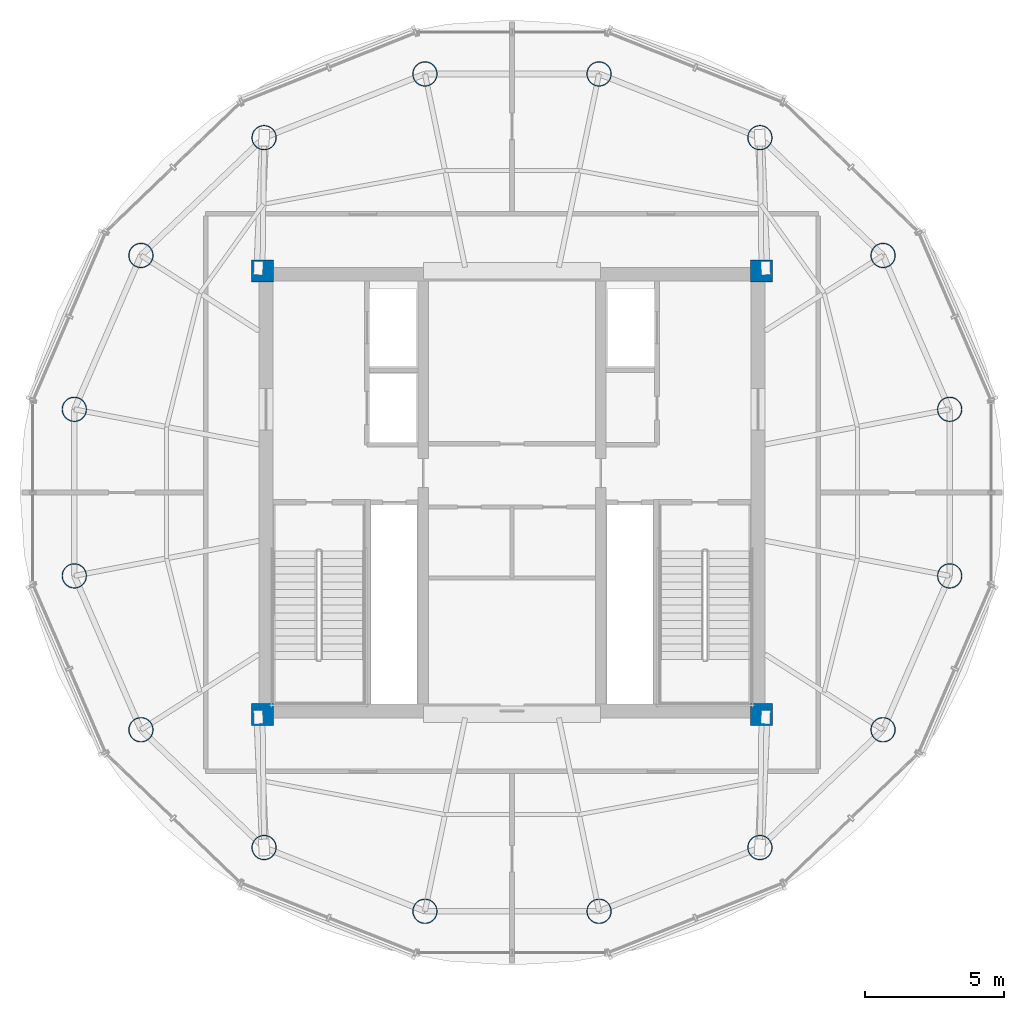
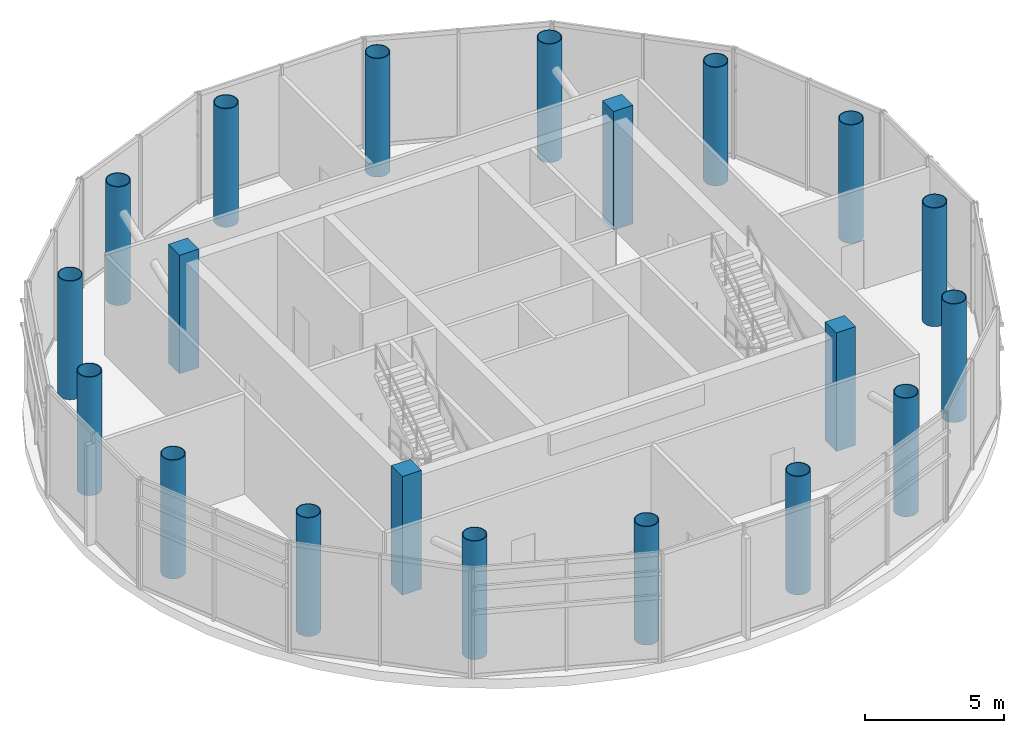
# One storey, part 1 of 15: 20 columns.
"""IFC4 building model written with IfcOpenShell, lengths in metres."""

from ifc_helpers import new_model, si_unit, direction, frame, origin, origin_2d, place, context, subcontext, project, spatial, rectangle, hollow_circle, extrude, material, material_profile, profile_set, type_object, element, save


model = new_model("IFC4")

# Units and contexts
model_context = context("Model", 3, precision=1e-05, world=origin(), true_north=direction((-0.2419218956, 0.970295726276)))
body_context = subcontext(model_context, "Body", "Model", "MODEL_VIEW")
ifc_project = project(units=[si_unit("LENGTHUNIT", "METRE"), si_unit("AREAUNIT", "SQUARE_METRE"), si_unit("VOLUMEUNIT", "CUBIC_METRE"), si_unit("PLANEANGLEUNIT", "RADIAN"), si_unit("MASSUNIT", "GRAM", prefix="KILO")], contexts=[model_context])

# Site, building, storey
site_placement = place(None, origin())
site = spatial("IfcSite", under=ifc_project, at=site_placement, CompositionType="ELEMENT")
building_placement = place(site_placement, origin())
building = spatial("IfcBuilding", under=site, at=building_placement, Name="Cobrevalo Terracotta Tower", CompositionType="ELEMENT")
storey_placement = place(building_placement, frame((0.0, 0.0, 311.300048828125)))
storey = spatial("IfcBuildingStorey", under=building, at=storey_placement, Name="L81", CompositionType="ELEMENT", Elevation=311.300048828125)

# Columns
ifc_material_1 = material(Name="Steel S355", Category="steel")
ifc_material_profile_1 = material_profile(ifc_material_1, hollow_circle(Radius=0.449951171875, WallThickness=0.031982421875, at=origin_2d()), Name="CHS 900x32")
ifc_profile_set_1 = profile_set([ifc_material_profile_1], Name="Steel S355")
column_type_1 = type_object("IfcColumnType", Name="Structural Column CHS 900x32 (Steel S355)", PredefinedType="COLUMN", material=ifc_profile_set_1)
for number, where, z_axis, x_axis, name in (
    (1, (53.79052734375, 29.804443359375, 0.0), (0.0, 0.0, 1.0), (1.0, 0.0, 0.0), "L81 composite megacolumn MC01"),
    (2, (51.38671875, 35.355712890625, 0.0), (0.0, 0.0, 1.0), (1.0, 0.0, 0.0), "L81 composite megacolumn MC02"),
    (3, (46.944580078125, 39.604736328125, 0.0), (0.0, 0.0, 1.0), (1.0, 0.0, 0.0), "L81 composite megacolumn MC03"),
    (4, (41.140869140625, 41.904052734375, 0.0), (0.0, 0.0, 1.0), (1.0, 0.0, 0.0), "L81 composite megacolumn MC04"),
    (5, (34.859130859375, 41.904052734375, 0.0), (0.0, 0.0, 1.0), (1.0, 0.0, 0.0), "L81 composite megacolumn MC05"),
    (6, (29.055419921875, 39.604736328125, 0.0), (0.0, 0.0, 1.0), (1.0, 0.0, 0.0), "L81 composite megacolumn MC06"),
    (7, (24.61328125, 35.355712890625, 0.0), (0.0, 0.0, 1.0), (1.0, 0.0, 0.0), "L81 composite megacolumn MC07"),
    (8, (22.20947265625, 29.804443359375, 0.0), (0.0, 0.0, 1.0), (1.0, 0.0, 0.0), "L81 composite megacolumn MC08"),
    (9, (22.20947265625, 23.795654296875, 0.0), (0.0, 0.0, 1.0), (1.0, 0.0, 0.0), "L81 composite megacolumn MC09"),
    (10, (24.61328125, 18.244140625, 0.0), (0.0, 0.0, 1.0), (1.0, 0.0, 0.0), "L81 composite megacolumn MC10"),
    (11, (29.055419921875, 13.995361328125, 0.0), (0.0, 0.0, 1.0), (1.0, 0.0, 0.0), "L81 composite megacolumn MC11"),
    (12, (34.859130859375, 11.69580078125, 0.0), (0.0, 0.0, 1.0), (1.0, 0.0, 0.0), "L81 composite megacolumn MC12"),
    (13, (41.140869140625, 11.69580078125, 0.0), (0.0, 0.0, 1.0), (1.0, 0.0, 0.0), "L81 composite megacolumn MC13"),
    (14, (46.944580078125, 13.995361328125, 0.0), (0.0, 0.0, 1.0), (1.0, 0.0, 0.0), "L81 composite megacolumn MC14"),
    (15, (51.38671875, 18.244140625, 0.0), (0.0, 0.0, 1.0), (1.0, 0.0, 0.0), "L81 composite megacolumn MC15"),
    (16, (53.79052734375, 23.795654296875, 0.0), (0.0, 0.0, 1.0), (1.0, 0.0, 0.0), "L81 composite megacolumn MC16"),
):
    element("IfcColumn", number, at=place(storey_placement, frame(where, z_axis=z_axis, x_axis=x_axis)), inside=storey, type_object=column_type_1, Name=name, PredefinedType="COLUMN", context=body_context, shape_type="SweptSolid", body=[
        extrude(hollow_circle(Radius=0.449951171875, WallThickness=0.031982421875, at=origin_2d()), origin(), (0.0, 0.0, 1.0), 5.199951171875),
    ])
ifc_material_2 = material(Name="Concrete C50", Category="concrete")
ifc_material_profile_2 = material_profile(ifc_material_2, rectangle(XDim=0.800048828125, YDim=0.800048828125, at=origin_2d()), Name="RC COL 800x800")
ifc_profile_set_2 = profile_set([ifc_material_profile_2], Name="Concrete C50")
column_type_2 = type_object("IfcColumnType", Name="Structural Column RC COL 800x800 (Concrete C50)", PredefinedType="COLUMN", material=ifc_profile_set_2)
for number, where, z_axis, x_axis, name in (
    (17, (29.0, 18.800048828125, 0.0), (0.0, 0.0, 1.0), (1.0, 0.0, 0.0), "L81 core corner column CC1"),
    (18, (47.0, 18.800048828125, 0.0), (0.0, 0.0, 1.0), (1.0, 0.0, 0.0), "L81 core corner column CC2"),
    (19, (47.0, 34.800048828125, 0.0), (0.0, 0.0, 1.0), (1.0, 0.0, 0.0), "L81 core corner column CC3"),
    (20, (29.0, 34.800048828125, 0.0), (0.0, 0.0, 1.0), (1.0, 0.0, 0.0), "L81 core corner column CC4"),
):
    element("IfcColumn", number, at=place(storey_placement, frame(where, z_axis=z_axis, x_axis=x_axis)), inside=storey, type_object=column_type_2, Name=name, PredefinedType="COLUMN", context=body_context, shape_type="SweptSolid", body=[
        extrude(rectangle(XDim=0.800048828125, YDim=0.800048828125, at=origin_2d()), origin(), (0.0, 0.0, 1.0), 5.199951171875),
    ])

save(model, "model.ifc")
